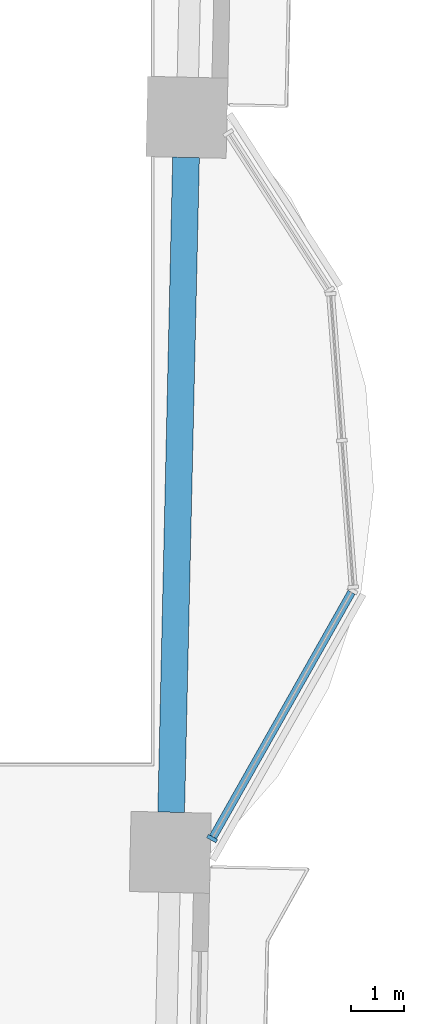
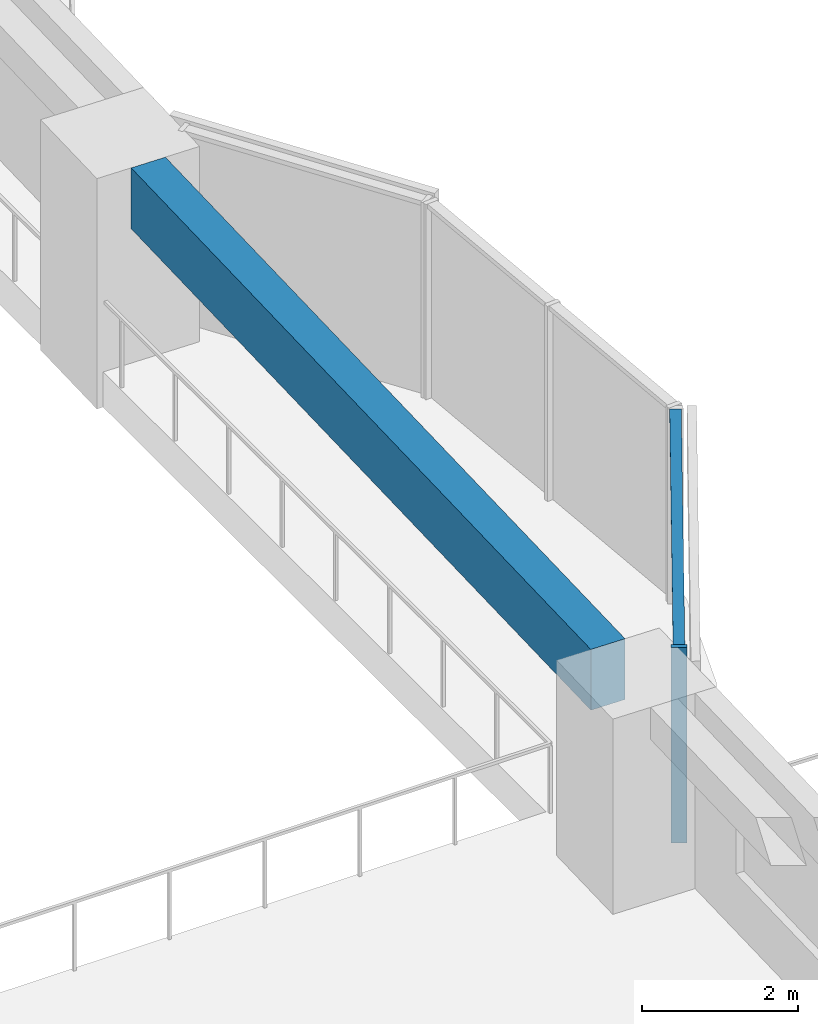
# One storey, part 2 of 18: 2 members, 1 beam, 1 element without a shape of its own.
"""IFC4 building model written with IfcOpenShell, lengths in metres."""

from ifc_helpers import new_model, si_unit, direction, frame, origin, origin_2d, place, context, subcontext, project, spatial, rectangle, extrude, material, material_profile, profile_set, type_object, element, aggregate, save


model = new_model("IFC4")

# Units and contexts
model_context = context("Model", 3, precision=1e-05, world=origin(), true_north=direction((0.0, 1.0)))
body_context = subcontext(model_context, "Body", "Model", "MODEL_VIEW")
ifc_project = project(units=[si_unit("LENGTHUNIT", "METRE"), si_unit("AREAUNIT", "SQUARE_METRE"), si_unit("VOLUMEUNIT", "CUBIC_METRE"), si_unit("PLANEANGLEUNIT", "RADIAN"), si_unit("MASSUNIT", "GRAM", prefix="KILO")], contexts=[model_context])

# Site, building, storey
site_placement = place(None, origin())
site = spatial("IfcSite", under=ifc_project, at=site_placement, CompositionType="ELEMENT")
building_placement = place(site_placement, origin())
building = spatial("IfcBuilding", under=site, at=building_placement, Name="Mangrove Gate Tower", CompositionType="ELEMENT")
storey_placement = place(building_placement, frame((0.0, 0.0, 56.699951171875)))
storey = spatial("IfcBuildingStorey", under=building, at=storey_placement, Name="L13", CompositionType="ELEMENT", Elevation=56.699951171875)

# Curtain wall, members
ifc_material_1 = material(Name="Aluminium and glass curtain wall", Category="aluminium")
curtain_wall_type = type_object("IfcCurtainWallType", Name="Atrium garden-court glazing wall", PredefinedType="NOTDEFINED", material=ifc_material_1)
curtain_wall_placement = place(storey_placement, origin())
curtain_wall = element("IfcCurtainWall", 1, at=curtain_wall_placement, inside=storey, type_object=curtain_wall_type, Name="Atrium garden-court glazing E1f1", PredefinedType="NOTDEFINED")
ifc_material_2 = material(Name="Aluminium alloy 6063-T6", Category="aluminium")
ifc_material_profile_1 = material_profile(ifc_material_2, rectangle(XDim=0.070068359375, YDim=0.199951171875, at=origin_2d()))
ifc_profile_set_1 = profile_set([ifc_material_profile_1], Name="Aluminium alloy 6063-T6")
member_type_1 = type_object("IfcMemberType", Name="Atrium garden-court glazing mullion 70x200", PredefinedType="MULLION", material=ifc_profile_set_1)
member_1_placement = place(storey_placement, frame((31.036865234375, -8.91943359375, 0.0), z_axis=(0.0, 0.0, 1.0), x_axis=(0.492603686489, 0.870253760726, 0.0)))
member_1 = element("IfcMember", 2, at=member_1_placement, type_object=member_type_1, Name="CWA mullion 1", PredefinedType="MULLION", context=body_context, shape_type="SweptSolid", body=[
    extrude(rectangle(XDim=0.070068359375, YDim=0.199951171875, at=origin_2d()), origin(), (0.0, 0.0, 1.0), 3.050048828125),
])
ifc_material_3 = material(Name="Aluminium alloy 6063-T6", Category="aluminium")
ifc_material_profile_2 = material_profile(ifc_material_3, rectangle(XDim=0.070068359375, YDim=0.14990234375, at=origin_2d()))
ifc_profile_set_2 = profile_set([ifc_material_profile_2], Name="Aluminium alloy 6063-T6")
member_type_2 = type_object("IfcMemberType", Name="Atrium garden-court glazing transom 70x150", PredefinedType="USERDEFINED", material=ifc_profile_set_2)
member_2_placement = place(storey_placement, frame((31.053955078125, -8.88916015625, 3.01513671875), z_axis=(0.492620111865, 0.870244463002, 0.0), x_axis=(0.0, 0.0, 1.0)))
member_2 = element("IfcMember", 3, at=member_2_placement, type_object=member_type_2, Name="CWA transom 1.2", ObjectType="TRANSOM", PredefinedType="USERDEFINED", context=body_context, shape_type="SweptSolid", body=[
    extrude(rectangle(XDim=0.070068359375, YDim=0.14990234375, at=origin_2d()), origin(), (0.0, 0.0, 1.0), 5.2587890625),
])
aggregate(curtain_wall, [member_1, member_2])

# Beam
ifc_material_4 = material(Name="Concrete C50/60", Category="concrete")
ifc_material_profile_3 = material_profile(ifc_material_4, rectangle(XDim=0.5, YDim=0.949951171875, at=origin_2d()))
ifc_profile_set_3 = profile_set([ifc_material_profile_3], Name="Concrete C50/60")
beam_type = type_object("IfcBeamType", Name="Edge beam RC 500x950 C50/60", PredefinedType="BEAM", material=ifc_profile_set_3)
beam_placement = place(storey_placement, frame((30.271240234375, -8.42724609375, 2.574951171875), z_axis=(0.022678852378, 0.999742801752, 0.0), x_axis=(-0.999742801752, 0.022678852378, 0.0)))
element("IfcBeam", 4, at=beam_placement, inside=storey, type_object=beam_type, Name="Edge beam L13 16", PredefinedType="BEAM", context=body_context, shape_type="SweptSolid", body=[
    extrude(rectangle(XDim=0.5, YDim=0.949951171875, at=origin_2d()), origin(), (0.0, 0.0, 1.0), 12.250732421875),
])

save(model, "model.ifc")
